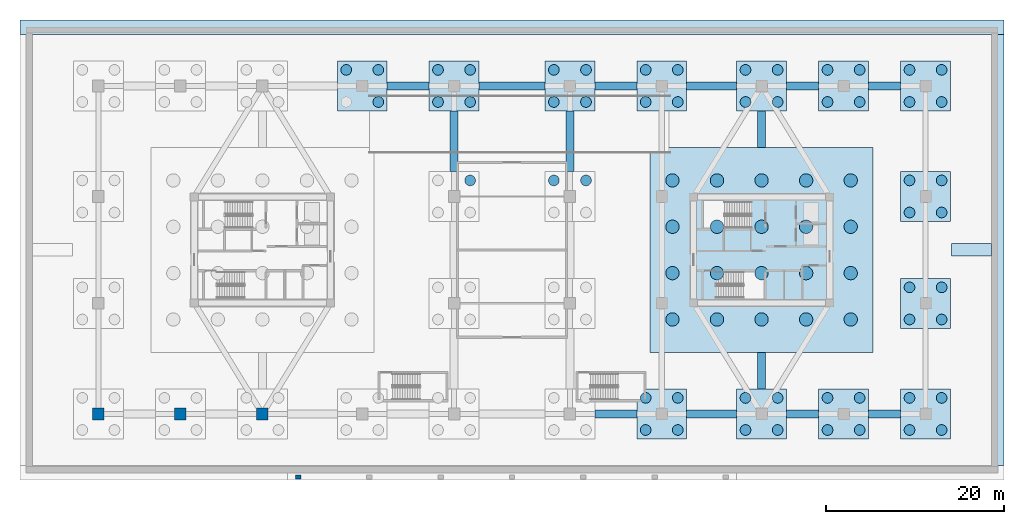
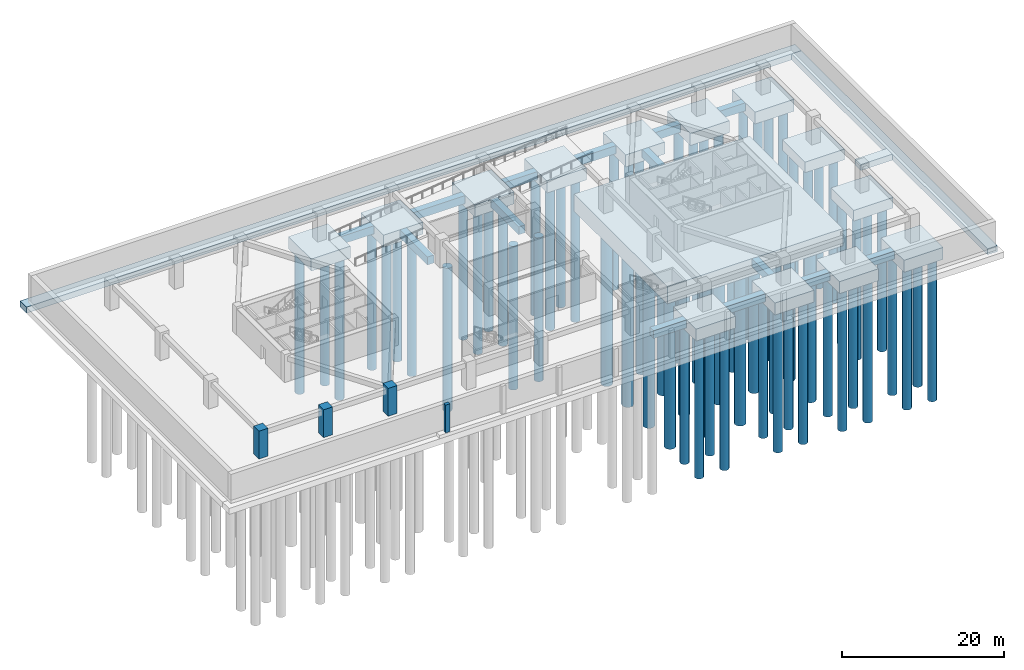
# One storey, part 2 of 14: 74 piles, 31 footings, 4 columns.
"""IFC4 building model written with IfcOpenShell, lengths in metres."""

from ifc_helpers import new_model, si_unit, direction, frame, origin, origin_2d, place, context, subcontext, project, spatial, polyline, rectangle, circle, outline, extrude, source, transform, mapped, material, layer, layer_set, material_profile, profile_set, type_object, type_shapes, element, save


model = new_model("IFC4")

# Units and contexts
model_context = context("Model", 3, precision=1e-05, world=origin(), true_north=direction((0.0, 1.0)))
body_context = subcontext(model_context, "Body", "Model", "MODEL_VIEW")
ifc_project = project(units=[si_unit("LENGTHUNIT", "METRE"), si_unit("AREAUNIT", "SQUARE_METRE"), si_unit("VOLUMEUNIT", "CUBIC_METRE"), si_unit("PLANEANGLEUNIT", "RADIAN"), si_unit("MASSUNIT", "GRAM", prefix="KILO")], contexts=[model_context])

# Site, building, storey
site_placement = place(None, origin())
site = spatial("IfcSite", under=ifc_project, at=site_placement, CompositionType="ELEMENT")
building_placement = place(site_placement, origin())
building = spatial("IfcBuilding", under=site, at=building_placement, Name="Norrkilde Senior Care Towers", CompositionType="ELEMENT")
storey_placement = place(building_placement, frame((0.0, 0.0, -8.39990234375)))
storey = spatial("IfcBuildingStorey", under=building, at=storey_placement, Name="B2", CompositionType="ELEMENT", Elevation=-8.39990234375)

# Footings
ifc_material_1 = material(Name="Concrete C50/60", Category="concrete")
ifc_layer_1 = layer(ifc_material_1, 1.199951171875)
ifc_layer_set_1 = layer_set([ifc_layer_1], Name="Concrete C50/60")
footing_type_1 = type_object("IfcFootingType", Name="Ground Tie Beam 900x1200", PredefinedType="FOOTING_BEAM", material=ifc_layer_set_1)
footing_1_placement = place(storey_placement, frame((0.0, 0.0, -1.7001953125)))
element("IfcFooting", 1, at=footing_1_placement, inside=storey, type_object=footing_type_1, Name="Ground Tie Beam 06", PredefinedType="FOOTING_BEAM", context=body_context, shape_type="SweptSolid", body=[
    extrude(outline(polyline([(9.300048828125, -18.85009765625), (14.0, -18.85009765625), (14.0, -17.949951171875), (9.300048828125, -17.949951171875), (9.300048828125, -18.85009765625)])), origin(), (0.0, 0.0, 1.0), 1.2001953125),
])
footing_2_placement = place(storey_placement, frame((0.0, 0.0, -1.7001953125)))
element("IfcFooting", 2, at=footing_2_placement, inside=storey, type_object=footing_type_1, Name="Ground Tie Beam 07", PredefinedType="FOOTING_BEAM", context=body_context, shape_type="SweptSolid", body=[
    extrude(outline(polyline([(19.60009765625, -18.85009765625), (25.199951171875, -18.85009765625), (25.199951171875, -17.949951171875), (19.60009765625, -17.949951171875), (19.60009765625, -18.85009765625)])), origin(), (0.0, 0.0, 1.0), 1.2001953125),
])
footing_3_placement = place(storey_placement, frame((0.0, 0.0, -1.7001953125)))
element("IfcFooting", 3, at=footing_3_placement, inside=storey, type_object=footing_type_1, Name="Ground Tie Beam 08", PredefinedType="FOOTING_BEAM", context=body_context, shape_type="SweptSolid", body=[
    extrude(outline(polyline([(30.800048828125, -18.85009765625), (34.39990234375, -18.85009765625), (34.39990234375, -17.949951171875), (30.800048828125, -17.949951171875), (30.800048828125, -18.85009765625)])), origin(), (0.0, 0.0, 1.0), 1.2001953125),
])
footing_4_placement = place(storey_placement, frame((0.0, 0.0, -1.7001953125)))
element("IfcFooting", 4, at=footing_4_placement, inside=storey, type_object=footing_type_1, Name="Ground Tie Beam 09", PredefinedType="FOOTING_BEAM", context=body_context, shape_type="SweptSolid", body=[
    extrude(outline(polyline([(40.0, -18.85009765625), (43.60009765625, -18.85009765625), (43.60009765625, -17.949951171875), (40.0, -17.949951171875), (40.0, -18.85009765625)])), origin(), (0.0, 0.0, 1.0), 1.2001953125),
])
footing_5_placement = place(storey_placement, frame((0.0, 0.0, -1.7001953125)))
element("IfcFooting", 5, at=footing_5_placement, inside=storey, type_object=footing_type_1, Name="Ground Tie Beam 13", PredefinedType="FOOTING_BEAM", context=body_context, shape_type="SweptSolid", body=[
    extrude(outline(polyline([(-14.0, 17.949951171875), (-9.300048828125, 17.949951171875), (-9.300048828125, 18.85009765625), (-14.0, 18.85009765625), (-14.0, 17.949951171875)])), origin(), (0.0, 0.0, 1.0), 1.2001953125),
])
footing_6_placement = place(storey_placement, frame((0.0, 0.0, -1.7001953125)))
element("IfcFooting", 6, at=footing_6_placement, inside=storey, type_object=footing_type_1, Name="Ground Tie Beam 14", PredefinedType="FOOTING_BEAM", context=body_context, shape_type="SweptSolid", body=[
    extrude(outline(polyline([(-3.699951171875, 17.949951171875), (3.699951171875, 17.949951171875), (3.699951171875, 18.85009765625), (-3.699951171875, 18.85009765625), (-3.699951171875, 17.949951171875)])), origin(), (0.0, 0.0, 1.0), 1.2001953125),
])
footing_7_placement = place(storey_placement, frame((0.0, 0.0, -1.7001953125)))
element("IfcFooting", 7, at=footing_7_placement, inside=storey, type_object=footing_type_1, Name="Ground Tie Beam 15", PredefinedType="FOOTING_BEAM", context=body_context, shape_type="SweptSolid", body=[
    extrude(outline(polyline([(9.300048828125, 17.949951171875), (14.0, 17.949951171875), (14.0, 18.85009765625), (9.300048828125, 18.85009765625), (9.300048828125, 17.949951171875)])), origin(), (0.0, 0.0, 1.0), 1.2001953125),
])
footing_8_placement = place(storey_placement, frame((0.0, 0.0, -1.7001953125)))
element("IfcFooting", 8, at=footing_8_placement, inside=storey, type_object=footing_type_1, Name="Ground Tie Beam 16", PredefinedType="FOOTING_BEAM", context=body_context, shape_type="SweptSolid", body=[
    extrude(outline(polyline([(19.60009765625, 17.949951171875), (25.199951171875, 17.949951171875), (25.199951171875, 18.85009765625), (19.60009765625, 18.85009765625), (19.60009765625, 17.949951171875)])), origin(), (0.0, 0.0, 1.0), 1.2001953125),
])
footing_9_placement = place(storey_placement, frame((0.0, 0.0, -1.7001953125)))
element("IfcFooting", 9, at=footing_9_placement, inside=storey, type_object=footing_type_1, Name="Ground Tie Beam 17", PredefinedType="FOOTING_BEAM", context=body_context, shape_type="SweptSolid", body=[
    extrude(outline(polyline([(30.800048828125, 17.949951171875), (34.39990234375, 17.949951171875), (34.39990234375, 18.85009765625), (30.800048828125, 18.85009765625), (30.800048828125, 17.949951171875)])), origin(), (0.0, 0.0, 1.0), 1.2001953125),
])
footing_10_placement = place(storey_placement, frame((0.0, 0.0, -1.7001953125)))
element("IfcFooting", 10, at=footing_10_placement, inside=storey, type_object=footing_type_1, Name="Ground Tie Beam 18", PredefinedType="FOOTING_BEAM", context=body_context, shape_type="SweptSolid", body=[
    extrude(outline(polyline([(40.0, 17.949951171875), (43.60009765625, 17.949951171875), (43.60009765625, 18.85009765625), (40.0, 18.85009765625), (40.0, 17.949951171875)])), origin(), (0.0, 0.0, 1.0), 1.2001953125),
])
footing_11_placement = place(storey_placement, frame((0.0, 0.0, -1.7001953125)))
element("IfcFooting", 11, at=footing_11_placement, inside=storey, type_object=footing_type_1, Name="Ground Tie Beam 21", PredefinedType="FOOTING_BEAM", context=body_context, shape_type="SweptSolid", body=[
    extrude(outline(polyline([(27.550048828125, -15.60009765625), (28.449951171875, -15.60009765625), (28.449951171875, -11.5), (27.550048828125, -11.5), (27.550048828125, -15.60009765625)])), origin(), (0.0, 0.0, 1.0), 1.2001953125),
])
footing_12_placement = place(storey_placement, frame((0.0, 0.0, -1.7001953125)))
element("IfcFooting", 12, at=footing_12_placement, inside=storey, type_object=footing_type_1, Name="Ground Tie Beam 22", PredefinedType="FOOTING_BEAM", context=body_context, shape_type="SweptSolid", body=[
    extrude(outline(polyline([(27.550048828125, 11.5), (28.449951171875, 11.5), (28.449951171875, 15.60009765625), (27.550048828125, 15.60009765625), (27.550048828125, 11.5)])), origin(), (0.0, 0.0, 1.0), 1.2001953125),
])
footing_13_placement = place(storey_placement, frame((0.0, 0.0, -1.7001953125)))
element("IfcFooting", 13, at=footing_13_placement, inside=storey, type_object=footing_type_1, Name="Ground Tie Beam 25", PredefinedType="FOOTING_BEAM", context=body_context, shape_type="SweptSolid", body=[
    extrude(outline(polyline([(-6.949951171875, 8.800048828125), (-6.050048828125, 8.800048828125), (-6.050048828125, 15.60009765625), (-6.949951171875, 15.60009765625), (-6.949951171875, 8.800048828125)])), origin(), (0.0, 0.0, 1.0), 1.2001953125),
])
footing_14_placement = place(storey_placement, frame((0.0, 0.0, -1.7001953125)))
element("IfcFooting", 14, at=footing_14_placement, inside=storey, type_object=footing_type_1, Name="Ground Tie Beam 28", PredefinedType="FOOTING_BEAM", context=body_context, shape_type="SweptSolid", body=[
    extrude(outline(polyline([(6.050048828125, 8.800048828125), (6.949951171875, 8.800048828125), (6.949951171875, 15.60009765625), (6.050048828125, 15.60009765625), (6.050048828125, 8.800048828125)])), origin(), (0.0, 0.0, 1.0), 1.2001953125),
])
ifc_material_2 = material(Name="Concrete C45/55", Category="concrete")
ifc_layer_2 = layer(ifc_material_2, 0.89990234375)
ifc_layer_set_2 = layer_set([ifc_layer_2], Name="Concrete C45/55")
footing_type_2 = type_object("IfcFootingType", Name="Perimeter Wall Strip Footing 1400x900", PredefinedType="STRIP_FOOTING", material=ifc_layer_set_2)
footing_15_placement = place(storey_placement, frame((0.0, 0.0, -1.400146484375)))
element("IfcFooting", 15, at=footing_15_placement, inside=storey, type_object=footing_type_2, Name="Perimeter Strip Footing FT-SF-N", PredefinedType="STRIP_FOOTING", context=body_context, shape_type="SweptSolid", body=[
    extrude(outline(polyline([(-55.199951171875, 24.199951171875), (55.199951171875, 24.199951171875), (55.199951171875, 25.800048828125), (-55.199951171875, 25.800048828125), (-55.199951171875, 24.199951171875)])), origin(), (0.0, 0.0, 1.0), 0.900146484375),
])
footing_16_placement = place(storey_placement, frame((0.0, 0.0, -1.400146484375)))
element("IfcFooting", 16, at=footing_16_placement, inside=storey, type_object=footing_type_2, Name="Perimeter Strip Footing FT-SF-E", PredefinedType="STRIP_FOOTING", context=body_context, shape_type="SweptSolid", body=[
    extrude(outline(polyline([(53.800048828125, -24.199951171875), (55.199951171875, -24.199951171875), (55.199951171875, 24.199951171875), (53.800048828125, 24.199951171875), (53.800048828125, -24.199951171875)])), origin(), (0.0, 0.0, 1.0), 0.900146484375),
])
footing_17_placement = place(storey_placement, frame((0.0, 0.0, -1.400146484375)))
element("IfcFooting", 17, at=footing_17_placement, inside=storey, type_object=footing_type_2, Name="Perimeter Strip Footing FT-SF-ME", PredefinedType="STRIP_FOOTING", context=body_context, shape_type="SweptSolid", body=[
    extrude(outline(polyline([(49.300048828125, -0.699951171875), (53.800048828125, -0.699951171875), (53.800048828125, 0.699951171875), (49.300048828125, 0.699951171875), (49.300048828125, -0.699951171875)])), origin(), (0.0, 0.0, 1.0), 0.900146484375),
])
ifc_layer_3 = layer(ifc_material_1, 1.800048828125)
ifc_layer_set_3 = layer_set([ifc_layer_3], Name="Concrete C50/60")
footing_type_3 = type_object("IfcFootingType", Name="Podium Heavy Pile Cap 4800x4800x1800", PredefinedType="PILE_CAP", material=ifc_layer_set_3)
footing_18_placement = place(storey_placement, frame((0.0, 0.0, -2.300048828125)))
element("IfcFooting", 18, at=footing_18_placement, inside=storey, type_object=footing_type_3, Name="Podium Pile Cap 07", PredefinedType="PILE_CAP", context=body_context, shape_type="SweptSolid", body=[
    extrude(outline(polyline([(14.0, -21.199951171875), (19.60009765625, -21.199951171875), (19.60009765625, -15.60009765625), (14.0, -15.60009765625), (14.0, -21.199951171875)])), origin(), (0.0, 0.0, 1.0), 1.800048828125),
])
footing_19_placement = place(storey_placement, frame((0.0, 0.0, -2.300048828125)))
element("IfcFooting", 19, at=footing_19_placement, inside=storey, type_object=footing_type_3, Name="Podium Pile Cap 08", PredefinedType="PILE_CAP", context=body_context, shape_type="SweptSolid", body=[
    extrude(outline(polyline([(25.199951171875, -21.199951171875), (30.800048828125, -21.199951171875), (30.800048828125, -15.60009765625), (25.199951171875, -15.60009765625), (25.199951171875, -21.199951171875)])), origin(), (0.0, 0.0, 1.0), 1.800048828125),
])
footing_20_placement = place(storey_placement, frame((0.0, 0.0, -2.300048828125)))
element("IfcFooting", 20, at=footing_20_placement, inside=storey, type_object=footing_type_3, Name="Podium Pile Cap 09", PredefinedType="PILE_CAP", context=body_context, shape_type="SweptSolid", body=[
    extrude(outline(polyline([(34.39990234375, -21.199951171875), (40.0, -21.199951171875), (40.0, -15.60009765625), (34.39990234375, -15.60009765625), (34.39990234375, -21.199951171875)])), origin(), (0.0, 0.0, 1.0), 1.800048828125),
])
footing_21_placement = place(storey_placement, frame((0.0, 0.0, -2.300048828125)))
element("IfcFooting", 21, at=footing_21_placement, inside=storey, type_object=footing_type_3, Name="Podium Pile Cap 10", PredefinedType="PILE_CAP", context=body_context, shape_type="SweptSolid", body=[
    extrude(outline(polyline([(43.60009765625, -21.199951171875), (49.199951171875, -21.199951171875), (49.199951171875, -15.60009765625), (43.60009765625, -15.60009765625), (43.60009765625, -21.199951171875)])), origin(), (0.0, 0.0, 1.0), 1.800048828125),
])
footing_22_placement = place(storey_placement, frame((0.0, 0.0, -2.300048828125)))
element("IfcFooting", 22, at=footing_22_placement, inside=storey, type_object=footing_type_3, Name="Podium Pile Cap 14", PredefinedType="PILE_CAP", context=body_context, shape_type="SweptSolid", body=[
    extrude(outline(polyline([(-19.60009765625, 15.60009765625), (-14.0, 15.60009765625), (-14.0, 21.199951171875), (-19.60009765625, 21.199951171875), (-19.60009765625, 15.60009765625)])), origin(), (0.0, 0.0, 1.0), 1.800048828125),
])
footing_23_placement = place(storey_placement, frame((0.0, 0.0, -2.300048828125)))
element("IfcFooting", 23, at=footing_23_placement, inside=storey, type_object=footing_type_3, Name="Podium Pile Cap 15", PredefinedType="PILE_CAP", context=body_context, shape_type="SweptSolid", body=[
    extrude(outline(polyline([(-9.300048828125, 15.60009765625), (-3.699951171875, 15.60009765625), (-3.699951171875, 21.199951171875), (-9.300048828125, 21.199951171875), (-9.300048828125, 15.60009765625)])), origin(), (0.0, 0.0, 1.0), 1.800048828125),
])
footing_24_placement = place(storey_placement, frame((0.0, 0.0, -2.300048828125)))
element("IfcFooting", 24, at=footing_24_placement, inside=storey, type_object=footing_type_3, Name="Podium Pile Cap 16", PredefinedType="PILE_CAP", context=body_context, shape_type="SweptSolid", body=[
    extrude(outline(polyline([(3.699951171875, 15.60009765625), (9.300048828125, 15.60009765625), (9.300048828125, 21.199951171875), (3.699951171875, 21.199951171875), (3.699951171875, 15.60009765625)])), origin(), (0.0, 0.0, 1.0), 1.800048828125),
])
footing_25_placement = place(storey_placement, frame((0.0, 0.0, -2.300048828125)))
element("IfcFooting", 25, at=footing_25_placement, inside=storey, type_object=footing_type_3, Name="Podium Pile Cap 17", PredefinedType="PILE_CAP", context=body_context, shape_type="SweptSolid", body=[
    extrude(outline(polyline([(14.0, 15.60009765625), (19.60009765625, 15.60009765625), (19.60009765625, 21.199951171875), (14.0, 21.199951171875), (14.0, 15.60009765625)])), origin(), (0.0, 0.0, 1.0), 1.800048828125),
])
footing_26_placement = place(storey_placement, frame((0.0, 0.0, -2.300048828125)))
element("IfcFooting", 26, at=footing_26_placement, inside=storey, type_object=footing_type_3, Name="Podium Pile Cap 18", PredefinedType="PILE_CAP", context=body_context, shape_type="SweptSolid", body=[
    extrude(outline(polyline([(25.199951171875, 15.60009765625), (30.800048828125, 15.60009765625), (30.800048828125, 21.199951171875), (25.199951171875, 21.199951171875), (25.199951171875, 15.60009765625)])), origin(), (0.0, 0.0, 1.0), 1.800048828125),
])
footing_27_placement = place(storey_placement, frame((0.0, 0.0, -2.300048828125)))
element("IfcFooting", 27, at=footing_27_placement, inside=storey, type_object=footing_type_3, Name="Podium Pile Cap 19", PredefinedType="PILE_CAP", context=body_context, shape_type="SweptSolid", body=[
    extrude(outline(polyline([(34.39990234375, 15.60009765625), (40.0, 15.60009765625), (40.0, 21.199951171875), (34.39990234375, 21.199951171875), (34.39990234375, 15.60009765625)])), origin(), (0.0, 0.0, 1.0), 1.800048828125),
])
footing_28_placement = place(storey_placement, frame((0.0, 0.0, -2.300048828125)))
element("IfcFooting", 28, at=footing_28_placement, inside=storey, type_object=footing_type_3, Name="Podium Pile Cap 20", PredefinedType="PILE_CAP", context=body_context, shape_type="SweptSolid", body=[
    extrude(outline(polyline([(43.60009765625, 15.60009765625), (49.199951171875, 15.60009765625), (49.199951171875, 21.199951171875), (43.60009765625, 21.199951171875), (43.60009765625, 15.60009765625)])), origin(), (0.0, 0.0, 1.0), 1.800048828125),
])
ifc_layer_4 = layer(ifc_material_1, 1.60009765625)
ifc_layer_set_4 = layer_set([ifc_layer_4], Name="Concrete C50/60")
footing_type_4 = type_object("IfcFootingType", Name="Podium Standard Pile Cap 4200x4200x1600", PredefinedType="PILE_CAP", material=ifc_layer_set_4)
footing_29_placement = place(storey_placement, frame((0.0, 0.0, -2.10009765625)))
element("IfcFooting", 29, at=footing_29_placement, inside=storey, type_object=footing_type_4, Name="Podium Pile Cap 27", PredefinedType="PILE_CAP", context=body_context, shape_type="SweptSolid", body=[
    extrude(outline(polyline([(43.60009765625, -8.800048828125), (49.199951171875, -8.800048828125), (49.199951171875, -3.199951171875), (43.60009765625, -3.199951171875), (43.60009765625, -8.800048828125)])), origin(), (0.0, 0.0, 1.0), 1.60009765625),
])
footing_30_placement = place(storey_placement, frame((0.0, 0.0, -2.10009765625)))
element("IfcFooting", 30, at=footing_30_placement, inside=storey, type_object=footing_type_4, Name="Podium Pile Cap 28", PredefinedType="PILE_CAP", context=body_context, shape_type="SweptSolid", body=[
    extrude(outline(polyline([(43.60009765625, 3.199951171875), (49.199951171875, 3.199951171875), (49.199951171875, 8.800048828125), (43.60009765625, 8.800048828125), (43.60009765625, 3.199951171875)])), origin(), (0.0, 0.0, 1.0), 1.60009765625),
])
ifc_layer_5 = layer(ifc_material_1, 2.60009765625)
ifc_layer_set_5 = layer_set([ifc_layer_5], Name="Concrete C50/60")
footing_type_5 = type_object("IfcFootingType", Name="Tower Cellular Piled Raft 2600", PredefinedType="PILE_CAP", material=ifc_layer_set_5)
footing_31_placement = place(storey_placement, frame((0.0, 0.0, -3.10009765625)))
element("IfcFooting", 31, at=footing_31_placement, inside=storey, type_object=footing_type_5, Name="Tower E Cellular Piled Raft", PredefinedType="PILE_CAP", context=body_context, shape_type="SweptSolid", body=[
    extrude(outline(polyline([(15.5, -11.5), (40.5, -11.5), (40.5, 11.5), (15.5, 11.5), (15.5, -11.5)])), origin(), (0.0, 0.0, 1.0), 2.60009765625),
])

# Piles
ifc_material_profile_1 = material_profile(ifc_material_2, circle(Radius=0.75, at=origin_2d()), Name="BORED PILE 1500")
ifc_profile_set_1 = profile_set([ifc_material_profile_1], Name="Concrete C45/55")
pile_type_1 = type_object("IfcPileType", Name="Rock-Socketed Bored Pile D1500", PredefinedType="BORED", material=ifc_profile_set_1)
shared_shape_1 = source(origin(), body_context, "Body", "SweptSolid", [
    extrude(circle(Radius=0.75, at=origin_2d()), origin(), (0.0, 0.0, 1.0), 24.64990234375),
])
type_shapes(pile_type_1, [shared_shape_1])
for number, where, z_axis, x_axis, name in (
    (32, (18.0, -7.800048828125, -2.9501953125), (0.0, 0.0, -1.0), (1.0, 0.0, 0.0), "Tower E Bored Pile 01"),
    (33, (18.0, -2.60009765625, -2.9501953125), (0.0, 0.0, -1.0), (1.0, 0.0, 0.0), "Tower E Bored Pile 02"),
    (34, (18.0, 2.60009765625, -2.9501953125), (0.0, 0.0, -1.0), (1.0, 0.0, 0.0), "Tower E Bored Pile 03"),
    (35, (18.0, 7.800048828125, -2.9501953125), (0.0, 0.0, -1.0), (1.0, 0.0, 0.0), "Tower E Bored Pile 04"),
    (36, (23.0, -7.800048828125, -2.9501953125), (0.0, 0.0, -1.0), (1.0, 0.0, 0.0), "Tower E Bored Pile 05"),
    (37, (23.0, -2.60009765625, -2.9501953125), (0.0, 0.0, -1.0), (1.0, 0.0, 0.0), "Tower E Bored Pile 06"),
    (38, (23.0, 2.60009765625, -2.9501953125), (0.0, 0.0, -1.0), (1.0, 0.0, 0.0), "Tower E Bored Pile 07"),
    (39, (23.0, 7.800048828125, -2.9501953125), (0.0, 0.0, -1.0), (1.0, 0.0, 0.0), "Tower E Bored Pile 08"),
    (40, (28.0, -7.800048828125, -2.9501953125), (0.0, 0.0, -1.0), (1.0, 0.0, 0.0), "Tower E Bored Pile 09"),
    (41, (28.0, -2.60009765625, -2.9501953125), (0.0, 0.0, -1.0), (1.0, 0.0, 0.0), "Tower E Bored Pile 10"),
    (42, (28.0, 2.60009765625, -2.9501953125), (0.0, 0.0, -1.0), (1.0, 0.0, 0.0), "Tower E Bored Pile 11"),
    (43, (28.0, 7.800048828125, -2.9501953125), (0.0, 0.0, -1.0), (1.0, 0.0, 0.0), "Tower E Bored Pile 12"),
    (44, (33.0, -7.800048828125, -2.9501953125), (0.0, 0.0, -1.0), (1.0, 0.0, 0.0), "Tower E Bored Pile 13"),
    (45, (33.0, -2.60009765625, -2.9501953125), (0.0, 0.0, -1.0), (1.0, 0.0, 0.0), "Tower E Bored Pile 14"),
    (46, (33.0, 2.60009765625, -2.9501953125), (0.0, 0.0, -1.0), (1.0, 0.0, 0.0), "Tower E Bored Pile 15"),
    (47, (33.0, 7.800048828125, -2.9501953125), (0.0, 0.0, -1.0), (1.0, 0.0, 0.0), "Tower E Bored Pile 16"),
    (48, (38.0, -7.800048828125, -2.9501953125), (0.0, 0.0, -1.0), (1.0, 0.0, 0.0), "Tower E Bored Pile 17"),
    (49, (38.0, -2.60009765625, -2.9501953125), (0.0, 0.0, -1.0), (1.0, 0.0, 0.0), "Tower E Bored Pile 18"),
    (50, (38.0, 2.60009765625, -2.9501953125), (0.0, 0.0, -1.0), (1.0, 0.0, 0.0), "Tower E Bored Pile 19"),
    (51, (38.0, 7.800048828125, -2.9501953125), (0.0, 0.0, -1.0), (1.0, 0.0, 0.0), "Tower E Bored Pile 20"),
):
    element("IfcPile", number, at=place(storey_placement, frame(where, z_axis=z_axis, x_axis=x_axis)), inside=storey, type_object=pile_type_1, Name=name, PredefinedType="BORED", context=body_context, shape_type="MappedRepresentation", body=[
        mapped(shared_shape_1, transform((0.0, 0.0, 0.0), x_axis=(1.0, 0.0, 0.0), y_axis=(0.0, 1.0, 0.0), z_axis=(0.0, 0.0, 1.0), scale=1.0)),
    ])
ifc_material_profile_2 = material_profile(ifc_material_2, circle(Radius=0.60009765625, at=origin_2d()), Name="BORED PILE 1200")
ifc_profile_set_2 = profile_set([ifc_material_profile_2], Name="Concrete C45/55")
pile_type_2 = type_object("IfcPileType", Name="Podium Bored Pile D1200", PredefinedType="BORED", material=ifc_profile_set_2)
shared_shape_2 = source(origin(), body_context, "Body", "SweptSolid", [
    extrude(circle(Radius=0.60009765625, at=origin_2d()), origin(), (0.0, 0.0, 1.0), 21.449951171875),
])
for number, where, z_axis, x_axis, name in (
    (52, (15.0, -20.199951171875, -2.150146484375), (0.0, 0.0, -1.0), (1.0, 0.0, 0.0), "Podium Cap 07 Bored Pile 1"),
    (53, (15.0, -16.60009765625, -2.150146484375), (0.0, 0.0, -1.0), (1.0, 0.0, 0.0), "Podium Cap 07 Bored Pile 2"),
    (54, (18.60009765625, -20.199951171875, -2.150146484375), (0.0, 0.0, -1.0), (1.0, 0.0, 0.0), "Podium Cap 07 Bored Pile 3"),
    (55, (18.60009765625, -16.60009765625, -2.150146484375), (0.0, 0.0, -1.0), (1.0, 0.0, 0.0), "Podium Cap 07 Bored Pile 4"),
    (56, (26.199951171875, -20.199951171875, -2.150146484375), (0.0, 0.0, -1.0), (1.0, 0.0, 0.0), "Podium Cap 08 Bored Pile 1"),
    (57, (26.199951171875, -16.60009765625, -2.150146484375), (0.0, 0.0, -1.0), (1.0, 0.0, 0.0), "Podium Cap 08 Bored Pile 2"),
    (58, (29.800048828125, -20.199951171875, -2.150146484375), (0.0, 0.0, -1.0), (1.0, 0.0, 0.0), "Podium Cap 08 Bored Pile 3"),
    (59, (29.800048828125, -16.60009765625, -2.150146484375), (0.0, 0.0, -1.0), (1.0, 0.0, 0.0), "Podium Cap 08 Bored Pile 4"),
    (60, (35.39990234375, -20.199951171875, -2.150146484375), (0.0, 0.0, -1.0), (1.0, 0.0, 0.0), "Podium Cap 09 Bored Pile 1"),
    (61, (35.39990234375, -16.60009765625, -2.150146484375), (0.0, 0.0, -1.0), (1.0, 0.0, 0.0), "Podium Cap 09 Bored Pile 2"),
    (62, (39.0, -20.199951171875, -2.150146484375), (0.0, 0.0, -1.0), (1.0, 0.0, 0.0), "Podium Cap 09 Bored Pile 3"),
    (63, (39.0, -16.60009765625, -2.150146484375), (0.0, 0.0, -1.0), (1.0, 0.0, 0.0), "Podium Cap 09 Bored Pile 4"),
    (64, (44.60009765625, -20.199951171875, -2.150146484375), (0.0, 0.0, -1.0), (1.0, 0.0, 0.0), "Podium Cap 10 Bored Pile 1"),
    (65, (44.60009765625, -16.60009765625, -2.150146484375), (0.0, 0.0, -1.0), (1.0, 0.0, 0.0), "Podium Cap 10 Bored Pile 2"),
    (66, (48.199951171875, -20.199951171875, -2.150146484375), (0.0, 0.0, -1.0), (1.0, 0.0, 0.0), "Podium Cap 10 Bored Pile 3"),
    (67, (48.199951171875, -16.60009765625, -2.150146484375), (0.0, 0.0, -1.0), (1.0, 0.0, 0.0), "Podium Cap 10 Bored Pile 4"),
    (68, (-18.60009765625, 20.199951171875, -2.150146484375), (0.0, 0.0, -1.0), (1.0, 0.0, 0.0), "Podium Cap 14 Bored Pile 2"),
    (69, (-15.0, 16.60009765625, -2.150146484375), (0.0, 0.0, -1.0), (1.0, 0.0, 0.0), "Podium Cap 14 Bored Pile 3"),
    (70, (-15.0, 20.199951171875, -2.150146484375), (0.0, 0.0, -1.0), (1.0, 0.0, 0.0), "Podium Cap 14 Bored Pile 4"),
    (71, (-8.300048828125, 16.60009765625, -2.150146484375), (0.0, 0.0, -1.0), (1.0, 0.0, 0.0), "Podium Cap 15 Bored Pile 1"),
    (72, (-8.300048828125, 20.199951171875, -2.150146484375), (0.0, 0.0, -1.0), (1.0, 0.0, 0.0), "Podium Cap 15 Bored Pile 2"),
    (73, (-4.699951171875, 16.60009765625, -2.150146484375), (0.0, 0.0, -1.0), (1.0, 0.0, 0.0), "Podium Cap 15 Bored Pile 3"),
    (74, (-4.699951171875, 20.199951171875, -2.150146484375), (0.0, 0.0, -1.0), (1.0, 0.0, 0.0), "Podium Cap 15 Bored Pile 4"),
    (75, (4.699951171875, 16.60009765625, -2.150146484375), (0.0, 0.0, -1.0), (1.0, 0.0, 0.0), "Podium Cap 16 Bored Pile 1"),
    (76, (4.699951171875, 20.199951171875, -2.150146484375), (0.0, 0.0, -1.0), (1.0, 0.0, 0.0), "Podium Cap 16 Bored Pile 2"),
    (77, (8.300048828125, 16.60009765625, -2.150146484375), (0.0, 0.0, -1.0), (1.0, 0.0, 0.0), "Podium Cap 16 Bored Pile 3"),
    (78, (8.300048828125, 20.199951171875, -2.150146484375), (0.0, 0.0, -1.0), (1.0, 0.0, 0.0), "Podium Cap 16 Bored Pile 4"),
    (79, (15.0, 16.60009765625, -2.150146484375), (0.0, 0.0, -1.0), (1.0, 0.0, 0.0), "Podium Cap 17 Bored Pile 1"),
    (80, (15.0, 20.199951171875, -2.150146484375), (0.0, 0.0, -1.0), (1.0, 0.0, 0.0), "Podium Cap 17 Bored Pile 2"),
    (81, (18.60009765625, 16.60009765625, -2.150146484375), (0.0, 0.0, -1.0), (1.0, 0.0, 0.0), "Podium Cap 17 Bored Pile 3"),
    (82, (18.60009765625, 20.199951171875, -2.150146484375), (0.0, 0.0, -1.0), (1.0, 0.0, 0.0), "Podium Cap 17 Bored Pile 4"),
    (83, (26.199951171875, 16.60009765625, -2.150146484375), (0.0, 0.0, -1.0), (1.0, 0.0, 0.0), "Podium Cap 18 Bored Pile 1"),
    (84, (26.199951171875, 20.199951171875, -2.150146484375), (0.0, 0.0, -1.0), (1.0, 0.0, 0.0), "Podium Cap 18 Bored Pile 2"),
    (85, (29.800048828125, 16.60009765625, -2.150146484375), (0.0, 0.0, -1.0), (1.0, 0.0, 0.0), "Podium Cap 18 Bored Pile 3"),
    (86, (29.800048828125, 20.199951171875, -2.150146484375), (0.0, 0.0, -1.0), (1.0, 0.0, 0.0), "Podium Cap 18 Bored Pile 4"),
    (87, (35.39990234375, 16.60009765625, -2.150146484375), (0.0, 0.0, -1.0), (1.0, 0.0, 0.0), "Podium Cap 19 Bored Pile 1"),
    (88, (35.39990234375, 20.199951171875, -2.150146484375), (0.0, 0.0, -1.0), (1.0, 0.0, 0.0), "Podium Cap 19 Bored Pile 2"),
    (89, (39.0, 16.60009765625, -2.150146484375), (0.0, 0.0, -1.0), (1.0, 0.0, 0.0), "Podium Cap 19 Bored Pile 3"),
    (90, (39.0, 20.199951171875, -2.150146484375), (0.0, 0.0, -1.0), (1.0, 0.0, 0.0), "Podium Cap 19 Bored Pile 4"),
    (91, (44.60009765625, 16.60009765625, -2.150146484375), (0.0, 0.0, -1.0), (1.0, 0.0, 0.0), "Podium Cap 20 Bored Pile 1"),
    (92, (44.60009765625, 20.199951171875, -2.150146484375), (0.0, 0.0, -1.0), (1.0, 0.0, 0.0), "Podium Cap 20 Bored Pile 2"),
    (93, (48.199951171875, 16.60009765625, -2.150146484375), (0.0, 0.0, -1.0), (1.0, 0.0, 0.0), "Podium Cap 20 Bored Pile 3"),
    (94, (48.199951171875, 20.199951171875, -2.150146484375), (0.0, 0.0, -1.0), (1.0, 0.0, 0.0), "Podium Cap 20 Bored Pile 4"),
):
    element("IfcPile", number, at=place(storey_placement, frame(where, z_axis=z_axis, x_axis=x_axis)), inside=storey, type_object=pile_type_2, Name=name, PredefinedType="BORED", context=body_context, shape_type="MappedRepresentation", body=[
        mapped(shared_shape_2, transform((0.0, 0.0, 0.0), x_axis=(1.0, 0.0, 0.0), y_axis=(0.0, 1.0, 0.0), z_axis=(0.0, 0.0, 1.0), scale=1.0)),
    ])
shared_shape_3 = source(origin(), body_context, "Body", "SweptSolid", [
    extrude(circle(Radius=0.60009765625, at=origin_2d()), origin(), (0.0, 0.0, 1.0), 21.64990234375),
])
type_shapes(pile_type_2, [shared_shape_2, shared_shape_3])
for number, where, z_axis, x_axis, name in (
    (95, (-4.699951171875, 7.800048828125, -1.9501953125), (0.0, 0.0, -1.0), (1.0, 0.0, 0.0), "Podium Cap 24 Bored Pile 4"),
    (96, (4.699951171875, 7.800048828125, -1.9501953125), (0.0, 0.0, -1.0), (1.0, 0.0, 0.0), "Podium Cap 26 Bored Pile 2"),
    (97, (8.300048828125, 7.800048828125, -1.9501953125), (0.0, 0.0, -1.0), (1.0, 0.0, 0.0), "Podium Cap 26 Bored Pile 4"),
    (98, (44.60009765625, -7.800048828125, -1.9501953125), (0.0, 0.0, -1.0), (1.0, 0.0, 0.0), "Podium Cap 27 Bored Pile 1"),
    (99, (44.60009765625, -4.199951171875, -1.9501953125), (0.0, 0.0, -1.0), (1.0, 0.0, 0.0), "Podium Cap 27 Bored Pile 2"),
    (100, (48.199951171875, -7.800048828125, -1.9501953125), (0.0, 0.0, -1.0), (1.0, 0.0, 0.0), "Podium Cap 27 Bored Pile 3"),
    (101, (48.199951171875, -4.199951171875, -1.9501953125), (0.0, 0.0, -1.0), (1.0, 0.0, 0.0), "Podium Cap 27 Bored Pile 4"),
    (102, (44.60009765625, 4.199951171875, -1.9501953125), (0.0, 0.0, -1.0), (1.0, 0.0, 0.0), "Podium Cap 28 Bored Pile 1"),
    (103, (44.60009765625, 7.800048828125, -1.9501953125), (0.0, 0.0, -1.0), (1.0, 0.0, 0.0), "Podium Cap 28 Bored Pile 2"),
    (104, (48.199951171875, 4.199951171875, -1.9501953125), (0.0, 0.0, -1.0), (1.0, 0.0, 0.0), "Podium Cap 28 Bored Pile 3"),
    (105, (48.199951171875, 7.800048828125, -1.9501953125), (0.0, 0.0, -1.0), (1.0, 0.0, 0.0), "Podium Cap 28 Bored Pile 4"),
):
    element("IfcPile", number, at=place(storey_placement, frame(where, z_axis=z_axis, x_axis=x_axis)), inside=storey, type_object=pile_type_2, Name=name, PredefinedType="BORED", context=body_context, shape_type="MappedRepresentation", body=[
        mapped(shared_shape_3, transform((0.0, 0.0, 0.0), x_axis=(1.0, 0.0, 0.0), y_axis=(0.0, 1.0, 0.0), z_axis=(0.0, 0.0, 1.0), scale=1.0)),
    ])

# Columns
ifc_material_3 = material(Name="Concrete C60/75", Category="concrete")
ifc_material_profile_3 = material_profile(ifc_material_3, rectangle(XDim=1.300048828125, YDim=1.300048828125, at=origin_2d()), Name="RC COL 1300x1300")
ifc_profile_set_3 = profile_set([ifc_material_profile_3], Name="Concrete C60/75")
column_type_1 = type_object("IfcColumnType", Name="Column Mega Podium 1300", PredefinedType="COLUMN", material=ifc_profile_set_3)
shared_shape_4 = source(origin(), body_context, "Body", "SweptSolid", [
    extrude(rectangle(XDim=1.300048828125, YDim=1.300048828125, at=origin_2d()), origin(), (0.0, 0.0, 1.0), 4.199951171875),
])
type_shapes(column_type_1, [shared_shape_4])
for number, where, z_axis, x_axis, name in (
    (106, (-46.39990234375, -18.39990234375, 0.0), (0.0, 0.0, 1.0), (1.0, 0.0, 0.0), "B2 Podium Mega Column 01"),
    (107, (-37.199951171875, -18.39990234375, 0.0), (0.0, 0.0, 1.0), (1.0, 0.0, 0.0), "B2 Podium Mega Column 02"),
    (108, (-28.0, -18.39990234375, 0.0), (0.0, 0.0, 1.0), (1.0, 0.0, 0.0), "B2 Podium Mega Column 03"),
):
    element("IfcColumn", number, at=place(storey_placement, frame(where, z_axis=z_axis, x_axis=x_axis)), inside=storey, type_object=column_type_1, Name=name, PredefinedType="COLUMN", context=body_context, shape_type="MappedRepresentation", body=[
        mapped(shared_shape_4, transform((0.0, 0.0, 0.0), x_axis=(1.0, 0.0, 0.0), y_axis=(0.0, 1.0, 0.0), z_axis=(0.0, 0.0, 1.0), scale=1.0)),
    ])
ifc_material_4 = material(Name="Precast concrete C45/55", Category="concrete")
ifc_material_profile_4 = material_profile(ifc_material_4, rectangle(XDim=0.60009765625, YDim=0.449951171875, at=origin_2d()), Name="RC PIL 600x450")
ifc_profile_set_4 = profile_set([ifc_material_profile_4], Name="Precast concrete C45/55")
column_type_2 = type_object("IfcColumnType", Name="Pilaster Entrance Colonnade", PredefinedType="PILASTER", material=ifc_profile_set_4)
shared_shape_5 = source(origin(), body_context, "Body", "SweptSolid", [
    extrude(rectangle(XDim=0.60009765625, YDim=0.449951171875, at=origin_2d()), origin(), (0.0, 0.0, 1.0), 4.199951171875),
])
type_shapes(column_type_2, [shared_shape_5])
column_placement = place(storey_placement, frame((-24.0, -25.47998046875, 0.0), z_axis=(0.0, 0.0, 1.0), x_axis=(1.0, 0.0, 0.0)))
element("IfcColumn", 109, at=column_placement, inside=storey, type_object=column_type_2, Name="B2 Entrance Colonnade Pilaster 1", PredefinedType="PILASTER", context=body_context, shape_type="MappedRepresentation", body=[
    mapped(shared_shape_5, transform((0.0, 0.0, 0.0), x_axis=(1.0, 0.0, 0.0), y_axis=(0.0, 1.0, 0.0), z_axis=(0.0, 0.0, 1.0), scale=1.0)),
])

save(model, "model.ifc")
